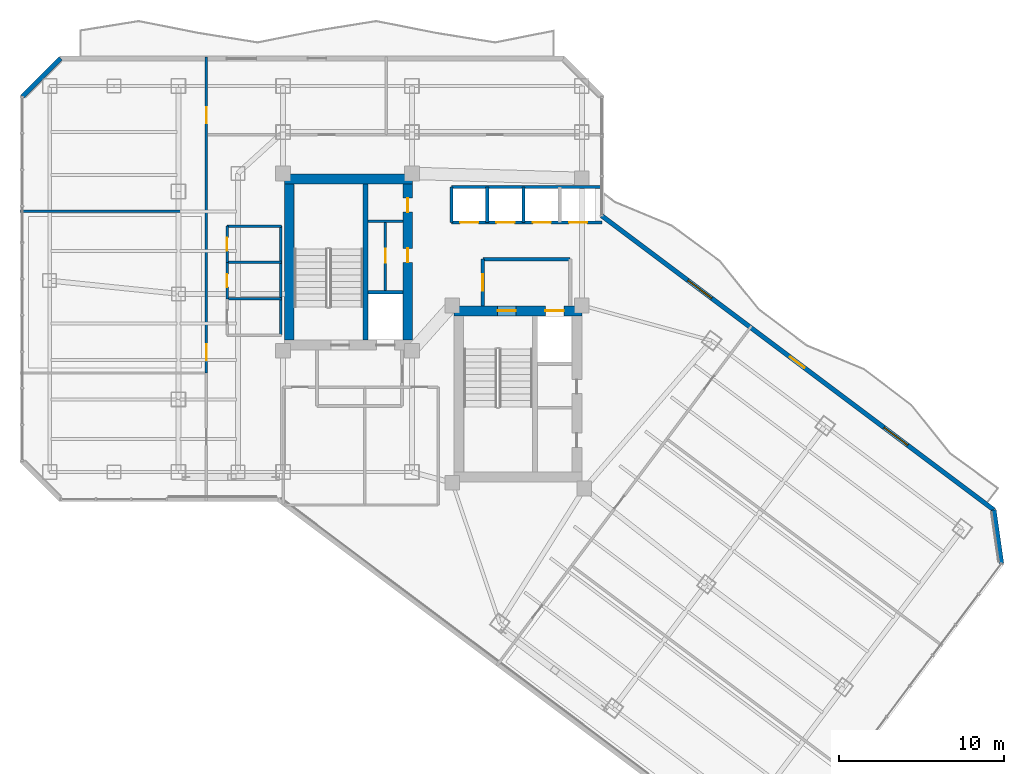
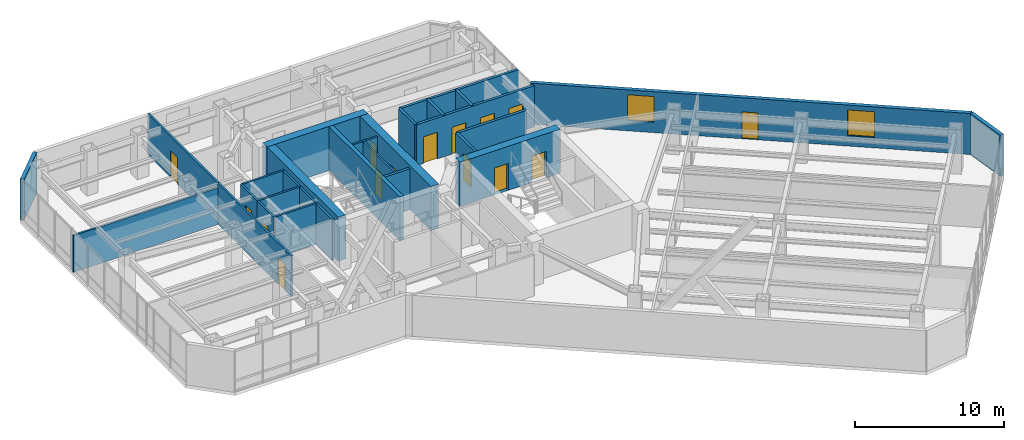
# One storey, part 23 of 29: 27 walls, 15 doors, 2 windows, 17 openings.
"""IFC4 building model written with IfcOpenShell, lengths in metres."""

import ifcopenshell
import ifcopenshell.guid

model = None  # the IFC model being written
_history = None  # IfcOwnerHistory: only IFC2X3 demands one
_inside = {}  # id of a spatial element -> (the spatial element, [elements in it])
_under = {}  # id of a project, library or spatial element -> (it, [spatial elements below it])
_declared = {}  # id of a project -> (the project, [libraries it declares])
_typed = {}  # id of a type object -> (the type object, [elements of that type])
_made_of = {}  # id of a material, layer set ... -> (it, [elements and type objects made of it])


def new_model(schema):
    """Start an empty IFC model of exactly this schema.

    Asked for "IFC4X3", IfcOpenShell would pick the latest addendum, in which some entities
    have other attributes; the version numbers below select the first issue.
    IFC2X3 requires an IfcOwnerHistory on every rooted entity: one is made here for all.
    """
    global model, _history
    if schema == "IFC4X3":
        model = ifcopenshell.file(schema_version=(4, 3, 0, 0))
    else:
        model = ifcopenshell.file(schema=schema)
    _inside.clear()
    _under.clear()
    _declared.clear()
    _typed.clear()
    _made_of.clear()
    _history = None
    if model.schema == "IFC2X3":
        org = make("IfcOrganization", Name="unknown")
        user = make(
            "IfcPersonAndOrganization",
            ThePerson=make("IfcPerson", FamilyName="unknown"),
            TheOrganization=org,
        )
        app = make(
            "IfcApplication",
            ApplicationDeveloper=org,
            Version="unknown",
            ApplicationFullName="unknown",
            ApplicationIdentifier="unknown",
        )
        _history = make(
            "IfcOwnerHistory",
            OwningUser=user,
            OwningApplication=app,
            ChangeAction="ADDED",
            CreationDate=0,
        )
    return model


def make(cls, **values):
    """One entity of the class cls with the attributes given. An attribute that is None is left unset."""
    return model.create_entity(
        cls, **{name: value for name, value in values.items() if value is not None}
    )


def rooted(cls, **values):
    """An entity with a GlobalId (a new one), such as an element, a storey or a relation."""
    return make(cls, GlobalId=ifcopenshell.guid.new(), OwnerHistory=_history, **values)


def si_unit(unit_type, name, prefix=None):
    """IfcSIUnit, for example si_unit("LENGTHUNIT", "METRE", prefix="MILLI")."""
    return make("IfcSIUnit", UnitType=unit_type, Prefix=prefix, Name=name)


def assignment(units):
    """IfcUnitAssignment: the units of a project."""
    return None if units is None else make("IfcUnitAssignment", Units=units)


def point(xyz):
    """IfcCartesianPoint."""
    return None if xyz is None else make("IfcCartesianPoint", Coordinates=xyz)


def direction(xyz):
    """IfcDirection."""
    return None if xyz is None else make("IfcDirection", DirectionRatios=xyz)


def frame(location, z_axis=None, x_axis=None):
    """IfcAxis2Placement3D, a coordinate frame: its origin and axes. An axis left out is left unset."""
    return make(
        "IfcAxis2Placement3D",
        Location=point(location),
        Axis=direction(z_axis),
        RefDirection=direction(x_axis),
    )


def frame_2d(location, x_axis=None):
    """IfcAxis2Placement2D, a coordinate frame in the plane: its origin and x axis."""
    return make(
        "IfcAxis2Placement2D", Location=point(location), RefDirection=direction(x_axis)
    )


def origin():
    """The frame at (0, 0, 0) with its axes left unset."""
    return frame((0.0, 0.0, 0.0))


def place(relative_to, where):
    """IfcLocalPlacement: puts the frame where relative to a parent placement (None: the world)."""
    return make(
        "IfcLocalPlacement", PlacementRelTo=relative_to, RelativePlacement=where
    )


def context(
    kind, dimensions, precision=None, world=None, true_north=None, identifier=None
):
    """IfcGeometricRepresentationContext, for example the 3D "Model" context."""
    return make(
        "IfcGeometricRepresentationContext",
        ContextIdentifier=identifier,
        ContextType=kind,
        CoordinateSpaceDimension=dimensions,
        Precision=precision,
        WorldCoordinateSystem=world,
        TrueNorth=true_north,
    )


def subcontext(parent, identifier, kind, view, scale=None):
    """IfcGeometricRepresentationSubContext, for example "Body" below "Model"."""
    return make(
        "IfcGeometricRepresentationSubContext",
        ContextIdentifier=identifier,
        ContextType=kind,
        ParentContext=parent,
        TargetScale=scale,
        TargetView=view,
    )


def project(units=None, contexts=None):
    """IfcProject with its units and contexts."""
    return rooted(
        "IfcProject",
        Name="project",
        RepresentationContexts=contexts,
        UnitsInContext=assignment(units),
    )


def spatial(cls, under=None, at=None, **own):
    """A site, building, storey or space (cls), placed at a placement, below another one or the project."""
    s = rooted(cls, ObjectPlacement=at, **own)
    if under is not None:
        _under.setdefault(under.id(), (under, []))[1].append(s)
    return s


def profile(cls, at=None, kind="AREA", **sizes):
    """A parametric profile (cls). Its sizes go by their IFC names, for example OverallWidth=200.0."""
    return make(cls, ProfileType=kind, Position=at, **sizes)


def rectangle(**sizes):
    """IfcRectangleProfileDef."""
    return profile("IfcRectangleProfileDef", **sizes)


def extrude(swept, where, along, depth):
    """IfcExtrudedAreaSolid: the profile swept, set in the frame where, extruded along a direction by depth."""
    return make(
        "IfcExtrudedAreaSolid",
        SweptArea=swept,
        Position=where,
        ExtrudedDirection=direction(along),
        Depth=depth,
    )


def shape(context_of_items, identifier, shape_type, items):
    """IfcShapeRepresentation: the items that make up one representation, for example the "Body"."""
    return make(
        "IfcShapeRepresentation",
        ContextOfItems=context_of_items,
        RepresentationIdentifier=identifier,
        RepresentationType=shape_type,
        Items=items,
    )


def material(Name=None, Category=None):
    """IfcMaterial."""
    return make("IfcMaterial", Name=Name, Category=Category)


def layer(
    of_material, thickness, ventilated=None, Name=None, Category=None, Priority=None
):
    """IfcMaterialLayer: one layer of a wall or slab, of a material (None: an air gap)."""
    return make(
        "IfcMaterialLayer",
        Material=of_material,
        LayerThickness=thickness,
        IsVentilated=ventilated,
        Name=Name,
        Category=Category,
        Priority=Priority,
    )


def layer_set(layers, Name=None):
    """IfcMaterialLayerSet."""
    return make("IfcMaterialLayerSet", MaterialLayers=layers, LayerSetName=Name)


def made_of(thing, what):
    """Note that an element or type object is made of a material, layer set ...; save() writes the relation."""
    if what is not None:
        _made_of.setdefault(what.id(), (what, []))[1].append(thing)
    return thing


def type_object(cls, material=None, **own):
    """A type object (cls), such as IfcWallType, which elements share."""
    return made_of(rooted(cls, **own), material)


def element(
    cls,
    number,
    at=None,
    inside=None,
    cuts=None,
    type_object=None,
    material=None,
    context=None,
    identifier="Body",
    shape_type=None,
    held_by="IfcProductDefinitionShape",
    body=None,
    shapes=None,
    **own,
):
    """One element of the class cls, such as IfcWall. Its Tag is "e" and its number.

    at: its placement. inside: the storey or other place that contains it. cuts: it is an
    opening in that element (IfcRelVoidsElement). A single representation is given by context,
    identifier, shape_type and body (its items); several are given by shapes. held_by: the class
    of the entity that holds the representations. save() writes the other relations.
    """
    e = rooted(cls, Tag="e%d" % number, ObjectPlacement=at, **own)
    if body is not None:
        shapes = [shape(context, identifier, shape_type, body)]
    if shapes is not None:
        e.Representation = make(held_by, Representations=shapes)
    if inside is not None:
        _inside.setdefault(inside.id(), (inside, []))[1].append(e)
    if cuts is not None:
        rooted(
            "IfcRelVoidsElement", RelatingBuildingElement=cuts, RelatedOpeningElement=e
        )
    if type_object is not None:
        _typed.setdefault(type_object.id(), (type_object, []))[1].append(e)
    return made_of(e, material)


def fill(opening, filler):
    """IfcRelFillsElement: the door or window that sits in an opening."""
    return rooted(
        "IfcRelFillsElement",
        RelatingOpeningElement=opening,
        RelatedBuildingElement=filler,
    )


def aggregate(whole, parts):
    """IfcRelAggregates: a whole, such as a stair, and the parts it consists of."""
    return rooted("IfcRelAggregates", RelatingObject=whole, RelatedObjects=parts)


def save(model, path):
    """Write the relations noted so far, then the file.

    IfcRelAggregates (storeys below a building ...), IfcRelContainedInSpatialStructure (elements
    in a storey), IfcRelDefinesByType, IfcRelAssociatesMaterial and IfcRelDeclares: one each for
    every whole, place, type object, material and project.
    """
    for whole, parts in _under.values():
        aggregate(whole, parts)
    for where, things in _inside.values():
        rooted(
            "IfcRelContainedInSpatialStructure",
            RelatedElements=things,
            RelatingStructure=where,
        )
    for kind, things in _typed.values():
        rooted("IfcRelDefinesByType", RelatedObjects=things, RelatingType=kind)
    for what, things in _made_of.values():
        rooted("IfcRelAssociatesMaterial", RelatedObjects=things, RelatingMaterial=what)
    for by, libraries in _declared.values():
        rooted("IfcRelDeclares", RelatingContext=by, RelatedDefinitions=libraries)
    model.write(path)


model = new_model("IFC4")

# Units and contexts
model_context = context("Model", 3, precision=1e-05, world=origin(), true_north=direction((0.0, 1.0)))
body_context = subcontext(model_context, "Body", "Model", "MODEL_VIEW")
ifc_project = project(units=[si_unit("LENGTHUNIT", "METRE"), si_unit("AREAUNIT", "SQUARE_METRE"), si_unit("VOLUMEUNIT", "CUBIC_METRE"), si_unit("PLANEANGLEUNIT", "RADIAN"), si_unit("MASSUNIT", "GRAM", prefix="KILO")], contexts=[model_context])

# Site, building, storey
site_placement = place(None, origin())
site = spatial("IfcSite", under=ifc_project, at=site_placement, CompositionType="ELEMENT")
building_placement = place(site_placement, origin())
building = spatial("IfcBuilding", under=site, at=building_placement, Name="Hatsunagi Terrace Concourse", CompositionType="ELEMENT")
storey_placement = place(building_placement, frame((0.0, 0.0, 119.25)))
storey = spatial("IfcBuildingStorey", under=building, at=storey_placement, Name="L31", CompositionType="ELEMENT", Elevation=119.25)

# Walls
ifc_material_1 = material(Name="Concrete Fc48", Category="concrete")
ifc_layer_1 = layer(ifc_material_1, 0.60009765625)
ifc_layer_set_1 = layer_set([ifc_layer_1], Name="CoreShearWall_Fc48_600")
wall_type_1 = type_object("IfcWallType", Name="CoreShearWall_Fc48_600", PredefinedType="SHEAR", material=ifc_layer_set_1)
wall_1_placement = place(storey_placement, frame((25.6201171875, 42.969970703125, 0.0), z_axis=(0.0, 0.0, 1.0), x_axis=(1.0, 0.0, 0.0)))
element("IfcWall", 1, at=wall_1_placement, inside=storey, type_object=wall_type_1, Name="Core A Shear Wall N L31", PredefinedType="SHEAR", context=body_context, shape_type="SweptSolid", body=[
    extrude(rectangle(XDim=7.77978515625, YDim=0.60009765625, at=frame_2d((3.889892578125, 0.0))), origin(), (0.0, 0.0, 1.0), 3.60009765625),
])
wall_2_placement = place(storey_placement, frame((25.919921875, 33.18994140625, 0.0), z_axis=(0.0, 0.0, 1.0), x_axis=(0.0, 1.0, 0.0)))
element("IfcWall", 2, at=wall_2_placement, inside=storey, type_object=wall_type_1, Name="Core A Shear Wall W L31", PredefinedType="SHEAR", context=body_context, shape_type="SweptSolid", body=[
    extrude(rectangle(XDim=9.47998046875, YDim=0.60009765625, at=frame_2d((4.739990234375, 0.0))), origin(), (0.0, 0.0, 1.0), 3.60009765625),
])

# Wall, openings, doors
wall_3_placement = place(storey_placement, frame((33.10009765625, 33.18994140625, 0.0), z_axis=(0.0, 0.0, 1.0), x_axis=(0.0, 1.0, 0.0)))
wall_3 = element("IfcWall", 3, at=wall_3_placement, inside=storey, type_object=wall_type_1, Name="Core A Shear Wall E L31", PredefinedType="SHEAR", context=body_context, shape_type="SweptSolid", body=[
    extrude(rectangle(XDim=9.47998046875, YDim=0.60009765625, at=frame_2d((4.739990234375, 0.0))), origin(), (0.0, 0.0, 1.0), 3.60009765625),
])
opening_1_placement = place(wall_3_placement, frame((4.7099609375, 0.0, 0.0)))
opening_1 = element("IfcOpeningElement", 4, at=opening_1_placement, cuts=wall_3, Name="Opening DR-085", PredefinedType="OPENING", context=body_context, shape_type="SweptSolid", body=[
    extrude(rectangle(XDim=0.85009765625, YDim=2.080078125, at=frame_2d((0.425048828125, 1.0400390625))), frame((0.0, 0.31005859375, 0.0), z_axis=(0.0, -1.0, 0.0), x_axis=(1.0, 0.0, 0.0)), (0.0, 0.0, 1.0), 0.6201171875),
])
opening_2_placement = place(wall_3_placement, frame((7.760009765625, 0.0, 0.0)))
opening_2 = element("IfcOpeningElement", 5, at=opening_2_placement, cuts=wall_3, Name="Opening DR-085", PredefinedType="OPENING", context=body_context, shape_type="SweptSolid", body=[
    extrude(rectangle(XDim=0.85009765625, YDim=2.080078125, at=frame_2d((0.425048828125, 1.0400390625))), frame((0.0, 0.31005859375, 0.0), z_axis=(0.0, -1.0, 0.0), x_axis=(1.0, 0.0, 0.0)), (0.0, 0.0, 1.0), 0.6201171875),
])
ifc_material_2 = material(Name="Painted steel", Category="steel")
door_type_1 = type_object("IfcDoorType", Name="RiserAccessDoor_EI60_850", OperationType="NOTDEFINED", PredefinedType="DOOR", material=ifc_material_2)
door_1_placement = place(opening_1_placement, origin())
door_1 = element("IfcDoor", 6, at=door_1_placement, inside=storey, type_object=door_type_1, Name="Core A Riser Door L31-1", OperationType="SINGLE_SWING_LEFT", OverallHeight=2.080078125, OverallWidth=0.85009765625, PredefinedType="DOOR", context=body_context, shape_type="SweptSolid", body=[
    extrude(rectangle(XDim=0.85009765625, YDim=2.080078125, at=frame_2d((0.425048828125, 1.0400390625))), frame((0.0, 0.02490234375, 0.0), z_axis=(0.0, -1.0, 0.0), x_axis=(1.0, 0.0, 0.0)), (0.0, 0.0, 1.0), 0.050048828125),
])
fill(opening_1, door_1)
door_2_placement = place(opening_2_placement, origin())
door_2 = element("IfcDoor", 7, at=door_2_placement, inside=storey, type_object=door_type_1, Name="Core A Riser Door L31-2", OperationType="SINGLE_SWING_LEFT", OverallHeight=2.080078125, OverallWidth=0.85009765625, PredefinedType="DOOR", context=body_context, shape_type="SweptSolid", body=[
    extrude(rectangle(XDim=0.85009765625, YDim=2.080078125, at=frame_2d((0.425048828125, 1.0400390625))), frame((0.0, 0.02490234375, 0.0), z_axis=(0.0, -1.0, 0.0), x_axis=(1.0, 0.0, 0.0)), (0.0, 0.0, 1.0), 0.050048828125),
])
fill(opening_2, door_2)

wall_4_placement = place(storey_placement, frame((35.889892578125, 34.969970703125, 0.0), z_axis=(0.0, 0.0, 1.0), x_axis=(1.0, 0.0, 0.0)))
wall_4 = element("IfcWall", 8, at=wall_4_placement, inside=storey, type_object=wall_type_1, Name="Core B Shear Wall N L31", PredefinedType="SHEAR", context=body_context, shape_type="SweptSolid", body=[
    extrude(rectangle(XDim=7.760009765625, YDim=0.60009765625, at=frame_2d((3.8798828125, 0.0))), origin(), (0.0, 0.0, 1.0), 3.60009765625),
])
opening_3_placement = place(wall_4_placement, frame((2.659912109375, 0.0, 0.0)))
opening_3 = element("IfcOpeningElement", 9, at=opening_3_placement, cuts=wall_4, Name="Opening DR-110S", PredefinedType="OPENING", context=body_context, shape_type="SweptSolid", body=[
    extrude(rectangle(XDim=1.10009765625, YDim=2.199951171875, at=frame_2d((0.550048828125, 1.10009765625))), frame((0.0, 0.31005859375, 0.0), z_axis=(0.0, -1.0, 0.0), x_axis=(1.0, 0.0, 0.0)), (0.0, 0.0, 1.0), 0.6201171875),
])
opening_4_placement = place(wall_4_placement, frame((5.56005859375, 0.0, 0.0)))
opening_4 = element("IfcOpeningElement", 10, at=opening_4_placement, cuts=wall_4, Name="Opening LD-02", PredefinedType="OPENING", context=body_context, shape_type="SweptSolid", body=[
    extrude(rectangle(XDim=1.1201171875, YDim=2.14990234375, at=frame_2d((0.56005859375, 1.074951171875))), frame((0.0, 0.31005859375, 0.0), z_axis=(0.0, -1.0, 0.0), x_axis=(1.0, 0.0, 0.0)), (0.0, 0.0, 1.0), 0.6201171875),
])
ifc_material_3 = material(Name="Stainless steel", Category="steel")
door_type_2 = type_object("IfcDoorType", Name="LiftLandingDoor_LD02", OperationType="SLIDING_TO_RIGHT", PredefinedType="USERDEFINED", material=ifc_material_3)
door_3_placement = place(opening_4_placement, origin())
door_3 = element("IfcDoor", 11, at=door_3_placement, inside=storey, type_object=door_type_2, Name="Lift landing door FF-02 L31", ObjectType="SLIDING_LANDING_DOOR", OperationType="SLIDING_TO_RIGHT", OverallHeight=2.14990234375, OverallWidth=1.1201171875, PredefinedType="USERDEFINED", context=body_context, shape_type="SweptSolid", body=[
    extrude(rectangle(XDim=1.1201171875, YDim=2.14990234375, at=frame_2d((0.56005859375, 1.074951171875))), frame((0.0, 0.02490234375, 0.0), z_axis=(0.0, -1.0, 0.0), x_axis=(1.0, 0.0, 0.0)), (0.0, 0.0, 1.0), 0.050048828125),
])
fill(opening_4, door_3)
ifc_material_4 = material(Name="Painted steel", Category="steel")
door_type_3 = type_object("IfcDoorType", Name="StairFireDoor_EI60_1100", OperationType="NOTDEFINED", PredefinedType="DOOR", material=ifc_material_4)
door_4_placement = place(opening_3_placement, origin())
door_4 = element("IfcDoor", 12, at=door_4_placement, inside=storey, type_object=door_type_3, Name="Stair ST-B Exit Door L31", OperationType="SINGLE_SWING_RIGHT", OverallHeight=2.199951171875, OverallWidth=1.10009765625, PredefinedType="DOOR", context=body_context, shape_type="SweptSolid", body=[
    extrude(rectangle(XDim=1.10009765625, YDim=2.199951171875, at=frame_2d((0.550048828125, 1.10009765625))), frame((0.0, 0.02490234375, 0.0), z_axis=(0.0, -1.0, 0.0), x_axis=(1.0, 0.0, 0.0)), (0.0, 0.0, 1.0), 0.050048828125),
])
fill(opening_3, door_4)

# Wall
ifc_material_5 = material(Name="Concrete Fc48", Category="concrete")
ifc_layer_2 = layer(ifc_material_5, 0.300048828125)
ifc_layer_set_2 = layer_set([ifc_layer_2], Name="CoreStairDivider_Fc48_300")
wall_type_2 = type_object("IfcWallType", Name="CoreStairDivider_Fc48_300", PredefinedType="SHEAR", material=ifc_layer_set_2)
wall_5_placement = place(storey_placement, frame((30.5400390625, 33.18994140625, 0.0), z_axis=(0.0, 0.0, 1.0), x_axis=(0.0, 1.0, 0.0)))
element("IfcWall", 13, at=wall_5_placement, inside=storey, type_object=wall_type_2, Name="Core A Shear Wall D L31", PredefinedType="SHEAR", context=body_context, shape_type="SweptSolid", body=[
    extrude(rectangle(XDim=9.47998046875, YDim=0.300048828125, at=frame_2d((4.739990234375, 0.0))), origin(), (0.0, 0.0, 1.0), 3.60009765625),
])

# Wall, opening, door
ifc_material_6 = material(Name="Acoustic mineral board", Category="gypsum")
ifc_layer_3 = layer(ifc_material_6, 0.14990234375)
ifc_layer_set_3 = layer_set([ifc_layer_3], Name="PartitionWall_EI60_150")
wall_type_3 = type_object("IfcWallType", Name="PartitionWall_EI60_150", PredefinedType="PARTITIONING", material=ifc_layer_set_3)
wall_6_placement = place(storey_placement, frame((31.75, 36.179931640625, 0.0), z_axis=(0.0, 0.0, 1.0), x_axis=(0.0, 1.0, 0.0)))
wall_6 = element("IfcWall", 14, at=wall_6_placement, inside=storey, type_object=wall_type_3, Name="Interior Partition IW-L31-002", PredefinedType="PARTITIONING", context=body_context, shape_type="SweptSolid", body=[
    extrude(rectangle(XDim=4.239990234375, YDim=0.14990234375, at=frame_2d((2.1201171875, 0.0))), origin(), (0.0, 0.0, 1.0), 3.35009765625),
])
opening_5_placement = place(wall_6_placement, frame((1.695068359375, 0.0, 0.0)))
opening_5 = element("IfcOpeningElement", 15, at=opening_5_placement, cuts=wall_6, Name="Opening DR-085", PredefinedType="OPENING", context=body_context, shape_type="SweptSolid", body=[
    extrude(rectangle(XDim=0.85009765625, YDim=2.080078125, at=frame_2d((0.425048828125, 1.0400390625))), frame((0.0, 0.0849609375, 0.0), z_axis=(0.0, -1.0, 0.0), x_axis=(1.0, 0.0, 0.0)), (0.0, 0.0, 1.0), 0.169921875),
])
door_5_placement = place(opening_5_placement, origin())
door_5 = element("IfcDoor", 16, at=door_5_placement, inside=storey, type_object=door_type_1, Name="Core A Sub-Riser Door L31", OperationType="SINGLE_SWING_LEFT", OverallHeight=2.080078125, OverallWidth=0.85009765625, PredefinedType="DOOR", context=body_context, shape_type="SweptSolid", body=[
    extrude(rectangle(XDim=0.85009765625, YDim=2.080078125, at=frame_2d((0.425048828125, 1.0400390625))), frame((0.0, 0.02490234375, 0.0), z_axis=(0.0, -1.0, 0.0), x_axis=(1.0, 0.0, 0.0)), (0.0, 0.0, 1.0), 0.050048828125),
])
fill(opening_5, door_5)

# Walls
wall_7_placement = place(storey_placement, frame((30.699951171875, 40.39990234375, 0.0), z_axis=(0.0, 0.0, 1.0), x_axis=(1.0, 0.0, 0.0)))
element("IfcWall", 17, at=wall_7_placement, inside=storey, type_object=wall_type_3, Name="Interior Partition IW-L31-003", PredefinedType="PARTITIONING", context=body_context, shape_type="SweptSolid", body=[
    extrude(rectangle(XDim=2.10009765625, YDim=0.14990234375, at=frame_2d((1.050048828125, 0.0))), origin(), (0.0, 0.0, 1.0), 3.35009765625),
])
wall_8_placement = place(storey_placement, frame((22.14990234375, 40.10009765625, 0.0), z_axis=(0.0, 0.0, 1.0), x_axis=(1.0, 0.0, 0.0)))
element("IfcWall", 18, at=wall_8_placement, inside=storey, type_object=wall_type_3, Name="Interior Partition IW-L31-019", PredefinedType="PARTITIONING", context=body_context, shape_type="SweptSolid", body=[
    extrude(rectangle(XDim=3.300048828125, YDim=0.14990234375, at=frame_2d((1.64990234375, 0.0))), origin(), (0.0, 0.0, 1.0), 3.35009765625),
])
wall_9_placement = place(storey_placement, frame((25.39990234375, 33.5, 0.0), z_axis=(0.0, 0.0, 1.0), x_axis=(0.0, 1.0, 0.0)))
element("IfcWall", 19, at=wall_9_placement, inside=storey, type_object=wall_type_3, Name="Interior Partition IW-L31-020", PredefinedType="PARTITIONING", context=body_context, shape_type="SweptSolid", body=[
    extrude(rectangle(XDim=6.60009765625, YDim=0.14990234375, at=frame_2d((3.300048828125, 0.0))), origin(), (0.0, 0.0, 1.0), 3.35009765625),
])
for number, where, z_axis, x_axis, name in (
    (20, (22.14990234375, 35.699951171875, 0.0), (0.0, 0.0, 1.0), (1.0, 0.0, 0.0), "Interior Partition IW-L31-021"),
    (21, (22.14990234375, 37.89990234375, 0.0), (0.0, 0.0, 1.0), (1.0, 0.0, 0.0), "Interior Partition IW-L31-022"),
):
    element("IfcWall", number, at=place(storey_placement, frame(where, z_axis=z_axis, x_axis=x_axis)), inside=storey, type_object=wall_type_3, Name=name, PredefinedType="PARTITIONING", context=body_context, shape_type="SweptSolid", body=[
        extrude(rectangle(XDim=3.300048828125, YDim=0.14990234375, at=frame_2d((1.64990234375, 0.0))), origin(), (0.0, 0.0, 1.0), 3.35009765625),
    ])

# Wall, opening, door
wall_10_placement = place(storey_placement, frame((22.14990234375, 35.699951171875, 0.0), z_axis=(0.0, 0.0, 1.0), x_axis=(0.0, 1.0, 0.0)))
wall_10 = element("IfcWall", 22, at=wall_10_placement, inside=storey, type_object=wall_type_3, Name="Interior Partition IW-L31-024", PredefinedType="PARTITIONING", context=body_context, shape_type="SweptSolid", body=[
    extrude(rectangle(XDim=2.199951171875, YDim=0.14990234375, at=frame_2d((1.10009765625, 0.0))), origin(), (0.0, 0.0, 1.0), 3.35009765625),
])
opening_6_placement = place(wall_10_placement, frame((0.699951171875, 0.0, 0.0)))
opening_6 = element("IfcOpeningElement", 23, at=opening_6_placement, cuts=wall_10, Name="Opening DR-080", PredefinedType="OPENING", context=body_context, shape_type="SweptSolid", body=[
    extrude(rectangle(XDim=0.800048828125, YDim=2.06005859375, at=frame_2d((0.39990234375, 1.030029296875))), frame((0.0, 0.0849609375, 0.0), z_axis=(0.0, -1.0, 0.0), x_axis=(1.0, 0.0, 0.0)), (0.0, 0.0, 1.0), 0.169921875),
])
ifc_material_7 = material(Name="Hardwood timber", Category="wood")
door_type_4 = type_object("IfcDoorType", Name="BathroomDoor_800", OperationType="NOTDEFINED", PredefinedType="DOOR", material=ifc_material_7)
door_6_placement = place(opening_6_placement, origin())
door_6 = element("IfcDoor", 24, at=door_6_placement, inside=storey, type_object=door_type_4, Name="Female Restroom Door L31", OperationType="SINGLE_SWING_RIGHT", OverallHeight=2.06005859375, OverallWidth=0.800048828125, PredefinedType="DOOR", context=body_context, shape_type="SweptSolid", body=[
    extrude(rectangle(XDim=0.800048828125, YDim=2.06005859375, at=frame_2d((0.39990234375, 1.030029296875))), frame((0.0, 0.02490234375, 0.0), z_axis=(0.0, -1.0, 0.0), x_axis=(1.0, 0.0, 0.0)), (0.0, 0.0, 1.0), 0.050048828125),
])
fill(opening_6, door_6)

wall_11_placement = place(storey_placement, frame((22.14990234375, 37.89990234375, 0.0), z_axis=(0.0, 0.0, 1.0), x_axis=(0.0, 1.0, 0.0)))
wall_11 = element("IfcWall", 25, at=wall_11_placement, inside=storey, type_object=wall_type_3, Name="Interior Partition IW-L31-025", PredefinedType="PARTITIONING", context=body_context, shape_type="SweptSolid", body=[
    extrude(rectangle(XDim=2.2001953125, YDim=0.14990234375, at=frame_2d((1.10009765625, 0.0))), origin(), (0.0, 0.0, 1.0), 3.35009765625),
])
opening_7_placement = place(wall_11_placement, frame((0.699951171875, 0.0, 0.0)))
opening_7 = element("IfcOpeningElement", 26, at=opening_7_placement, cuts=wall_11, Name="Opening DR-080", PredefinedType="OPENING", context=body_context, shape_type="SweptSolid", body=[
    extrude(rectangle(XDim=0.800048828125, YDim=2.06005859375, at=frame_2d((0.39990234375, 1.030029296875))), frame((0.0, 0.0849609375, 0.0), z_axis=(0.0, -1.0, 0.0), x_axis=(1.0, 0.0, 0.0)), (0.0, 0.0, 1.0), 0.169921875),
])
door_7_placement = place(opening_7_placement, origin())
door_7 = element("IfcDoor", 27, at=door_7_placement, inside=storey, type_object=door_type_4, Name="Male Restroom Door L31", OperationType="SINGLE_SWING_RIGHT", OverallHeight=2.06005859375, OverallWidth=0.800048828125, PredefinedType="DOOR", context=body_context, shape_type="SweptSolid", body=[
    extrude(rectangle(XDim=0.800048828125, YDim=2.06005859375, at=frame_2d((0.39990234375, 1.030029296875))), frame((0.0, 0.02490234375, 0.0), z_axis=(0.0, -1.0, 0.0), x_axis=(1.0, 0.0, 0.0)), (0.0, 0.0, 1.0), 0.050048828125),
])
fill(opening_7, door_7)

# Wall
wall_12_placement = place(storey_placement, frame((9.639892578125, 41.0, 0.0), z_axis=(0.0, 0.0, 1.0), x_axis=(1.0, 0.0, 0.0)))
element("IfcWall", 28, at=wall_12_placement, inside=storey, type_object=wall_type_3, Name="Interior Partition IW-L31-035", PredefinedType="PARTITIONING", context=body_context, shape_type="SweptSolid", body=[
    extrude(rectangle(XDim=11.260009765625, YDim=0.14990234375, at=frame_2d((5.6298828125, 0.0))), origin(), (0.0, 0.0, 1.0), 2.9951171875),
])

# Wall, opening, door
wall_13_placement = place(storey_placement, frame((20.89990234375, 31.199951171875, 0.0), z_axis=(0.0, 0.0, 1.0), x_axis=(0.0, 1.0, 0.0)))
wall_13 = element("IfcWall", 29, at=wall_13_placement, inside=storey, type_object=wall_type_3, Name="Interior Partition IW-L31-036", PredefinedType="PARTITIONING", context=body_context, shape_type="SweptSolid", body=[
    extrude(rectangle(XDim=9.800048828125, YDim=0.14990234375, at=frame_2d((4.89990234375, 0.0))), origin(), (0.0, 0.0, 1.0), 3.35009765625),
])
opening_8_placement = place(wall_13_placement, frame((0.783935546875, 0.0, 0.0)))
opening_8 = element("IfcOpeningElement", 30, at=opening_8_placement, cuts=wall_13, Name="Opening DR-095", PredefinedType="OPENING", context=body_context, shape_type="SweptSolid", body=[
    extrude(rectangle(XDim=0.949951171875, YDim=2.14990234375, at=frame_2d((0.47509765625, 1.074951171875))), frame((0.0, 0.0849609375, 0.0), z_axis=(0.0, -1.0, 0.0), x_axis=(1.0, 0.0, 0.0)), (0.0, 0.0, 1.0), 0.169921875),
])
ifc_material_8 = material(Name="Hardwood timber", Category="wood")
door_type_5 = type_object("IfcDoorType", Name="InteriorSuiteDoor_EI30_950", OperationType="NOTDEFINED", PredefinedType="DOOR", material=ifc_material_8)
door_8_placement = place(opening_8_placement, origin())
door_8 = element("IfcDoor", 31, at=door_8_placement, inside=storey, type_object=door_type_5, Name="Design Studio L31-OW2 Door", OperationType="SINGLE_SWING_RIGHT", OverallHeight=2.14990234375, OverallWidth=0.949951171875, PredefinedType="DOOR", context=body_context, shape_type="SweptSolid", body=[
    extrude(rectangle(XDim=0.949951171875, YDim=2.14990234375, at=frame_2d((0.47509765625, 1.074951171875))), frame((0.0, 0.02490234375, 0.0), z_axis=(0.0, -1.0, 0.0), x_axis=(1.0, 0.0, 0.0)), (0.0, 0.0, 1.0), 0.050048828125),
])
fill(opening_8, door_8)

wall_14_placement = place(storey_placement, frame((20.89990234375, 41.0, 0.0), z_axis=(0.0, 0.0, 1.0), x_axis=(0.0, 1.0, 0.0)))
wall_14 = element("IfcWall", 32, at=wall_14_placement, inside=storey, type_object=wall_type_3, Name="Interior Partition IW-L31-037", PredefinedType="PARTITIONING", context=body_context, shape_type="SweptSolid", body=[
    extrude(rectangle(XDim=9.360107421875, YDim=0.14990234375, at=frame_2d((4.68017578125, 0.0))), origin(), (0.0, 0.0, 1.0), 3.35009765625),
])
opening_9_placement = place(wall_14_placement, frame((5.35302734375, 0.0, 0.0)))
opening_9 = element("IfcOpeningElement", 33, at=opening_9_placement, cuts=wall_14, Name="Opening DR-095", PredefinedType="OPENING", context=body_context, shape_type="SweptSolid", body=[
    extrude(rectangle(XDim=0.949951171875, YDim=2.14990234375, at=frame_2d((0.47509765625, 1.074951171875))), frame((0.0, 0.0849609375, 0.0), z_axis=(0.0, -1.0, 0.0), x_axis=(1.0, 0.0, 0.0)), (0.0, 0.0, 1.0), 0.169921875),
])
door_9_placement = place(opening_9_placement, origin())
door_9 = element("IfcDoor", 34, at=door_9_placement, inside=storey, type_object=door_type_5, Name="Boardroom L31-OW3 Door", OperationType="SINGLE_SWING_RIGHT", OverallHeight=2.14990234375, OverallWidth=0.949951171875, PredefinedType="DOOR", context=body_context, shape_type="SweptSolid", body=[
    extrude(rectangle(XDim=0.949951171875, YDim=2.14990234375, at=frame_2d((0.47509765625, 1.074951171875))), frame((0.0, 0.02490234375, 0.0), z_axis=(0.0, -1.0, 0.0), x_axis=(1.0, 0.0, 0.0)), (0.0, 0.0, 1.0), 0.050048828125),
])
fill(opening_9, door_9)

# Walls
ifc_material_9 = material(Name="Acoustic mineral board", Category="gypsum")
ifc_layer_4 = layer(ifc_material_9, 0.199951171875)
ifc_layer_set_4 = layer_set([ifc_layer_4], Name="ShaftWall_EI120_200")
wall_type_4 = type_object("IfcWallType", Name="ShaftWall_EI120_200", PredefinedType="STANDARD", material=ifc_layer_set_4)
wall_15_placement = place(storey_placement, frame((30.699951171875, 36.10009765625, 0.0), z_axis=(0.0, 0.0, 1.0), x_axis=(1.0, 0.0, 0.0)))
element("IfcWall", 35, at=wall_15_placement, inside=storey, type_object=wall_type_4, Name="Interior Partition IW-L31-001", PredefinedType="STANDARD", context=body_context, shape_type="SweptSolid", body=[
    extrude(rectangle(XDim=2.10009765625, YDim=0.199951171875, at=frame_2d((1.050048828125, 0.0))), origin(), (0.0, 0.0, 1.0), 3.35009765625),
])
wall_16_placement = place(storey_placement, frame((37.64990234375, 38.10009765625, 0.0), z_axis=(0.0, 0.0, 1.0), x_axis=(1.0, 0.0, 0.0)))
element("IfcWall", 36, at=wall_16_placement, inside=storey, type_object=wall_type_4, Name="Interior Partition IW-L31-009", PredefinedType="STANDARD", context=body_context, shape_type="SweptSolid", body=[
    extrude(rectangle(XDim=5.300048828125, YDim=0.199951171875, at=frame_2d((2.64990234375, 0.0))), origin(), (0.0, 0.0, 1.0), 3.35009765625),
])

# Wall, opening, door
wall_17_placement = place(storey_placement, frame((37.64990234375, 35.27001953125, 0.0), z_axis=(0.0, 0.0, 1.0), x_axis=(0.0, 1.0, 0.0)))
wall_17 = element("IfcWall", 37, at=wall_17_placement, inside=storey, type_object=wall_type_4, Name="Interior Partition IW-L31-011", PredefinedType="STANDARD", context=body_context, shape_type="SweptSolid", body=[
    extrude(rectangle(XDim=2.830078125, YDim=0.199951171875, at=frame_2d((1.4150390625, 0.0))), origin(), (0.0, 0.0, 1.0), 3.35009765625),
])
opening_10_placement = place(wall_17_placement, frame((0.9150390625, 0.0, 0.0)))
opening_10 = element("IfcOpeningElement", 38, at=opening_10_placement, cuts=wall_17, Name="Opening DR-100F", PredefinedType="OPENING", context=body_context, shape_type="SweptSolid", body=[
    extrude(rectangle(XDim=1.0, YDim=2.199951171875, at=frame_2d((0.5, 1.10009765625))), frame((0.0, 0.10986328125, 0.0), z_axis=(0.0, -1.0, 0.0), x_axis=(1.0, 0.0, 0.0)), (0.0, 0.0, 1.0), 0.219970703125),
])
ifc_material_10 = material(Name="Painted steel", Category="steel")
door_type_6 = type_object("IfcDoorType", Name="FireDoor_EI60_1000", OperationType="NOTDEFINED", PredefinedType="DOOR", material=ifc_material_10)
door_10_placement = place(opening_10_placement, origin())
door_10 = element("IfcDoor", 39, at=door_10_placement, inside=storey, type_object=door_type_6, Name="Firefighting Lobby B Door L31", OperationType="SINGLE_SWING_RIGHT", OverallHeight=2.199951171875, OverallWidth=1.0, PredefinedType="DOOR", context=body_context, shape_type="SweptSolid", body=[
    extrude(rectangle(XDim=1.0, YDim=2.199951171875, at=frame_2d((0.5, 1.10009765625))), frame((0.0, 0.02490234375, 0.0), z_axis=(0.0, -1.0, 0.0), x_axis=(1.0, 0.0, 0.0)), (0.0, 0.0, 1.0), 0.050048828125),
])
fill(opening_10, door_10)

# Walls
wall_18_placement = place(storey_placement, frame((35.75, 42.47998046875, 0.0), z_axis=(0.0, 0.0, 1.0), x_axis=(1.0, 0.0, 0.0)))
element("IfcWall", 40, at=wall_18_placement, inside=storey, type_object=wall_type_4, Name="Interior Partition IW-L31-012", PredefinedType="STANDARD", context=body_context, shape_type="SweptSolid", body=[
    extrude(rectangle(XDim=9.110107421875, YDim=0.199951171875, at=frame_2d((4.55517578125, 0.0))), origin(), (0.0, 0.0, 1.0), 3.35009765625),
])
for number, where, z_axis, x_axis, name in (
    (41, (35.75, 40.320068359375, 0.0), (0.0, 0.0, 1.0), (0.0, 1.0, 0.0), "Interior Partition IW-L31-013"),
    (42, (37.919921875, 40.320068359375, 0.0), (0.0, 0.0, 1.0), (0.0, 1.0, 0.0), "Interior Partition IW-L31-014"),
    (43, (40.1201171875, 40.320068359375, 0.0), (0.0, 0.0, 1.0), (0.0, 1.0, 0.0), "Interior Partition IW-L31-015"),
):
    element("IfcWall", number, at=place(storey_placement, frame(where, z_axis=z_axis, x_axis=x_axis)), inside=storey, type_object=wall_type_4, Name=name, PredefinedType="STANDARD", context=body_context, shape_type="SweptSolid", body=[
        extrude(rectangle(XDim=2.159912109375, YDim=0.199951171875, at=frame_2d((1.080078125, 0.0))), origin(), (0.0, 0.0, 1.0), 3.35009765625),
    ])

# Wall, openings, doors
wall_19_placement = place(storey_placement, frame((35.75, 40.320068359375, 0.0), z_axis=(0.0, 0.0, 1.0), x_axis=(1.0, 0.0, 0.0)))
wall_19 = element("IfcWall", 44, at=wall_19_placement, inside=storey, type_object=wall_type_4, Name="Interior Partition IW-L31-017", PredefinedType="STANDARD", context=body_context, shape_type="SweptSolid", body=[
    extrude(rectangle(XDim=9.110107421875, YDim=0.199951171875, at=frame_2d((4.55517578125, 0.0))), origin(), (0.0, 0.0, 1.0), 3.35009765625),
])
opening_11_placement = place(wall_19_placement, frame((0.530029296875, 0.0, 0.0)))
opening_11 = element("IfcOpeningElement", 45, at=opening_11_placement, cuts=wall_19, Name="Opening LD-04", PredefinedType="OPENING", context=body_context, shape_type="SweptSolid", body=[
    extrude(rectangle(XDim=1.10009765625, YDim=2.179931640625, at=frame_2d((0.550048828125, 1.08984375))), frame((0.0, 0.10986328125, 0.0), z_axis=(0.0, -1.0, 0.0), x_axis=(1.0, 0.0, 0.0)), (0.0, 0.0, 1.0), 0.219970703125),
])
opening_12_placement = place(wall_19_placement, frame((2.72998046875, 0.0, 0.0)))
opening_12 = element("IfcOpeningElement", 46, at=opening_12_placement, cuts=wall_19, Name="Opening LD-04", PredefinedType="OPENING", context=body_context, shape_type="SweptSolid", body=[
    extrude(rectangle(XDim=1.10009765625, YDim=2.179931640625, at=frame_2d((0.550048828125, 1.08984375))), frame((0.0, 0.10986328125, 0.0), z_axis=(0.0, -1.0, 0.0), x_axis=(1.0, 0.0, 0.0)), (0.0, 0.0, 1.0), 0.219970703125),
])
opening_13_placement = place(wall_19_placement, frame((4.929931640625, 0.0, 0.0)))
opening_13 = element("IfcOpeningElement", 47, at=opening_13_placement, cuts=wall_19, Name="Opening LD-04", PredefinedType="OPENING", context=body_context, shape_type="SweptSolid", body=[
    extrude(rectangle(XDim=1.10009765625, YDim=2.179931640625, at=frame_2d((0.550048828125, 1.08984375))), frame((0.0, 0.10986328125, 0.0), z_axis=(0.0, -1.0, 0.0), x_axis=(1.0, 0.0, 0.0)), (0.0, 0.0, 1.0), 0.219970703125),
])
opening_14_placement = place(wall_19_placement, frame((7.1298828125, 0.0, 0.0)))
opening_14 = element("IfcOpeningElement", 48, at=opening_14_placement, cuts=wall_19, Name="Opening LD-04", PredefinedType="OPENING", context=body_context, shape_type="SweptSolid", body=[
    extrude(rectangle(XDim=1.10009765625, YDim=2.179931640625, at=frame_2d((0.550048828125, 1.08984375))), frame((0.0, 0.10986328125, 0.0), z_axis=(0.0, -1.0, 0.0), x_axis=(1.0, 0.0, 0.0)), (0.0, 0.0, 1.0), 0.219970703125),
])
ifc_material_11 = material(Name="Stainless steel", Category="steel")
door_type_7 = type_object("IfcDoorType", Name="LiftLandingDoor_LD04", OperationType="SLIDING_TO_RIGHT", PredefinedType="USERDEFINED", material=ifc_material_11)
door_11_placement = place(opening_11_placement, origin())
door_11 = element("IfcDoor", 49, at=door_11_placement, inside=storey, type_object=door_type_7, Name="Lift landing door PL-05 L31", ObjectType="SLIDING_LANDING_DOOR", OperationType="SLIDING_TO_RIGHT", OverallHeight=2.179931640625, OverallWidth=1.10009765625, PredefinedType="USERDEFINED", context=body_context, shape_type="SweptSolid", body=[
    extrude(rectangle(XDim=1.10009765625, YDim=2.179931640625, at=frame_2d((0.550048828125, 1.08984375))), frame((0.0, 0.02490234375, 0.0), z_axis=(0.0, -1.0, 0.0), x_axis=(1.0, 0.0, 0.0)), (0.0, 0.0, 1.0), 0.050048828125),
])
fill(opening_11, door_11)
door_12_placement = place(opening_12_placement, origin())
door_12 = element("IfcDoor", 50, at=door_12_placement, inside=storey, type_object=door_type_7, Name="Lift landing door PL-06 L31", ObjectType="SLIDING_LANDING_DOOR", OperationType="SLIDING_TO_RIGHT", OverallHeight=2.179931640625, OverallWidth=1.10009765625, PredefinedType="USERDEFINED", context=body_context, shape_type="SweptSolid", body=[
    extrude(rectangle(XDim=1.10009765625, YDim=2.179931640625, at=frame_2d((0.550048828125, 1.08984375))), frame((0.0, 0.02490234375, 0.0), z_axis=(0.0, -1.0, 0.0), x_axis=(1.0, 0.0, 0.0)), (0.0, 0.0, 1.0), 0.050048828125),
])
fill(opening_12, door_12)
door_13_placement = place(opening_13_placement, origin())
door_13 = element("IfcDoor", 51, at=door_13_placement, inside=storey, type_object=door_type_7, Name="Lift landing door PL-07 L31", ObjectType="SLIDING_LANDING_DOOR", OperationType="SLIDING_TO_RIGHT", OverallHeight=2.179931640625, OverallWidth=1.10009765625, PredefinedType="USERDEFINED", context=body_context, shape_type="SweptSolid", body=[
    extrude(rectangle(XDim=1.10009765625, YDim=2.179931640625, at=frame_2d((0.550048828125, 1.08984375))), frame((0.0, 0.02490234375, 0.0), z_axis=(0.0, -1.0, 0.0), x_axis=(1.0, 0.0, 0.0)), (0.0, 0.0, 1.0), 0.050048828125),
])
fill(opening_13, door_13)
door_14_placement = place(opening_14_placement, origin())
door_14 = element("IfcDoor", 52, at=door_14_placement, inside=storey, type_object=door_type_7, Name="Lift landing door PL-08 L31", ObjectType="SLIDING_LANDING_DOOR", OperationType="SLIDING_TO_RIGHT", OverallHeight=2.179931640625, OverallWidth=1.10009765625, PredefinedType="USERDEFINED", context=body_context, shape_type="SweptSolid", body=[
    extrude(rectangle(XDim=1.10009765625, YDim=2.179931640625, at=frame_2d((0.550048828125, 1.08984375))), frame((0.0, 0.02490234375, 0.0), z_axis=(0.0, -1.0, 0.0), x_axis=(1.0, 0.0, 0.0)), (0.0, 0.0, 1.0), 0.050048828125),
])
fill(opening_14, door_14)

# Wall, openings, door, windows
ifc_material_12 = material(Name="Autoclaved Lightweight Concrete and Terracotta Cladding", Category="masonry")
ifc_layer_5 = layer(ifc_material_12, 0.280029296875)
ifc_layer_set_5 = layer_set([ifc_layer_5], Name="TerracottaSpandrelWall_280")
wall_type_5 = type_object("IfcWallType", Name="TerracottaSpandrelWall_280", PredefinedType="STANDARD", material=ifc_layer_set_5)
wall_20_placement = place(storey_placement, frame((44.860107421875, 40.72998046875, 0.0), z_axis=(0.0, 0.0, 1.0), x_axis=(0.800006902154, -0.599990797017, 0.0)))
wall_20 = element("IfcWall", 53, at=wall_20_placement, inside=storey, type_object=wall_type_5, Name="Exterior Spandrel Wall EW-L31-01", PredefinedType="STANDARD", context=body_context, shape_type="SweptSolid", body=[
    extrude(rectangle(XDim=29.7119140625, YDim=0.280029296875, at=frame_2d((14.85595703125, 0.0))), origin(), (0.0, 0.0, 1.0), 3.35009765625),
])
opening_15_placement = place(wall_20_placement, frame((14.2490234375, 0.0, 0.0)))
opening_15 = element("IfcOpeningElement", 54, at=opening_15_placement, cuts=wall_20, Name="Opening BD-01", PredefinedType="OPENING", context=body_context, shape_type="SweptSolid", body=[
    extrude(rectangle(XDim=1.10009765625, YDim=2.199951171875, at=frame_2d((0.550048828125, 1.10009765625))), frame((0.0, 0.14990234375, 0.0), z_axis=(0.0, -1.0, 0.0), x_axis=(1.0, 0.0, 0.0)), (0.0, 0.0, 1.0), 0.300048828125),
])
opening_16_placement = place(wall_20_placement, frame((6.528076171875, 0.0, 0.85009765625)))
opening_16 = element("IfcOpeningElement", 55, at=opening_16_placement, cuts=wall_20, Name="Opening WIN-03", PredefinedType="OPENING", context=body_context, shape_type="SweptSolid", body=[
    extrude(rectangle(XDim=1.800048828125, YDim=2.10009765625, at=frame_2d((0.89990234375, 1.050048828125))), frame((0.0, 0.14990234375, 0.0), z_axis=(0.0, -1.0, 0.0), x_axis=(1.0, 0.0, 0.0)), (0.0, 0.0, 1.0), 0.300048828125),
])
opening_17_placement = place(wall_20_placement, frame((21.384033203125, 0.0, 0.85009765625)))
opening_17 = element("IfcOpeningElement", 56, at=opening_17_placement, cuts=wall_20, Name="Opening WIN-03", PredefinedType="OPENING", context=body_context, shape_type="SweptSolid", body=[
    extrude(rectangle(XDim=1.800048828125, YDim=2.10009765625, at=frame_2d((0.89990234375, 1.050048828125))), frame((0.0, 0.14990234375, 0.0), z_axis=(0.0, -1.0, 0.0), x_axis=(1.0, 0.0, 0.0)), (0.0, 0.0, 1.0), 0.300048828125),
])
ifc_material_13 = material(Name="Galvanised Steel and Laminated Safety Glass", Category="steel")
door_type_8 = type_object("IfcDoorType", Name="BalconyTerraceAccessDoor_1100x2200", OperationType="SINGLE_SWING_LEFT", PredefinedType="DOOR", material=ifc_material_13)
door_15_placement = place(opening_15_placement, origin())
door_15 = element("IfcDoor", 57, at=door_15_placement, inside=storey, type_object=door_type_8, Name="Engawa Balcony Door L31-BSE", OperationType="SINGLE_SWING_LEFT", OverallHeight=2.199951171875, OverallWidth=1.10009765625, PredefinedType="DOOR", context=body_context, shape_type="SweptSolid", body=[
    extrude(rectangle(XDim=1.10009765625, YDim=2.199951171875, at=frame_2d((0.550048828125, 1.10009765625))), frame((0.0, 0.02490234375, 0.0), z_axis=(0.0, -1.0, 0.0), x_axis=(1.0, 0.0, 0.0)), (0.0, 0.0, 1.0), 0.050048828125),
])
fill(opening_15, door_15)
ifc_material_14 = material(Name="Thermally Broken Aluminium and Low-E Triple Glazing", Category="aluminium")
window_type = type_object("IfcWindowType", Name="OfficeCornerFeatureWindow_1800x2100", PartitioningType="SINGLE_PANEL", PredefinedType="WINDOW", material=ifc_material_14)
window_1_placement = place(opening_16_placement, origin())
window_1 = element("IfcWindow", 58, at=window_1_placement, inside=storey, type_object=window_type, Name="Balcony Daylighting Window L31-01-1", OverallHeight=2.10009765625, OverallWidth=1.800048828125, PartitioningType="SINGLE_PANEL", PredefinedType="WINDOW", context=body_context, shape_type="SweptSolid", body=[
    extrude(rectangle(XDim=1.800048828125, YDim=2.10009765625, at=frame_2d((0.89990234375, 1.050048828125))), frame((0.0, 0.030029296875, 0.0), z_axis=(0.0, -1.0, 0.0), x_axis=(1.0, 0.0, 0.0)), (0.0, 0.0, 1.0), 0.06005859375),
])
fill(opening_16, window_1)
window_2_placement = place(opening_17_placement, origin())
window_2 = element("IfcWindow", 59, at=window_2_placement, inside=storey, type_object=window_type, Name="Balcony Daylighting Window L31-01-2", OverallHeight=2.10009765625, OverallWidth=1.800048828125, PartitioningType="SINGLE_PANEL", PredefinedType="WINDOW", context=body_context, shape_type="SweptSolid", body=[
    extrude(rectangle(XDim=1.800048828125, YDim=2.10009765625, at=frame_2d((0.89990234375, 1.050048828125))), frame((0.0, 0.030029296875, 0.0), z_axis=(0.0, -1.0, 0.0), x_axis=(1.0, 0.0, 0.0)), (0.0, 0.0, 1.0), 0.06005859375),
])
fill(opening_17, window_2)

# Walls
wall_21_placement = place(storey_placement, frame((68.6298828125, 22.903076171875, 0.0), z_axis=(0.0, 0.0, 1.0), x_axis=(0.141285803956, -0.989968848803, 0.0)))
element("IfcWall", 60, at=wall_21_placement, inside=storey, type_object=wall_type_5, Name="Exterior Spandrel Wall EW-L31-02", PredefinedType="STANDARD", context=body_context, shape_type="SweptSolid", body=[
    extrude(rectangle(XDim=3.278076171875, YDim=0.280029296875, at=frame_2d((1.63916015625, 0.0))), origin(), (0.0, 0.0, 1.0), 3.35009765625),
])
wall_22_placement = place(storey_placement, frame((9.739990234375, 47.94189453125, 0.0), z_axis=(0.0, 0.0, 1.0), x_axis=(0.707106781187, 0.707106781187, 0.0)))
element("IfcWall", 61, at=wall_22_placement, inside=storey, type_object=wall_type_5, Name="Exterior Spandrel Wall EW-L31-10", PredefinedType="STANDARD", context=body_context, shape_type="SweptSolid", body=[
    extrude(rectangle(XDim=3.2783203125, YDim=0.280029296875, at=frame_2d((1.63916015625, 0.0))), origin(), (0.0, 0.0, 1.0), 3.35009765625),
])

save(model, "model.ifc")
